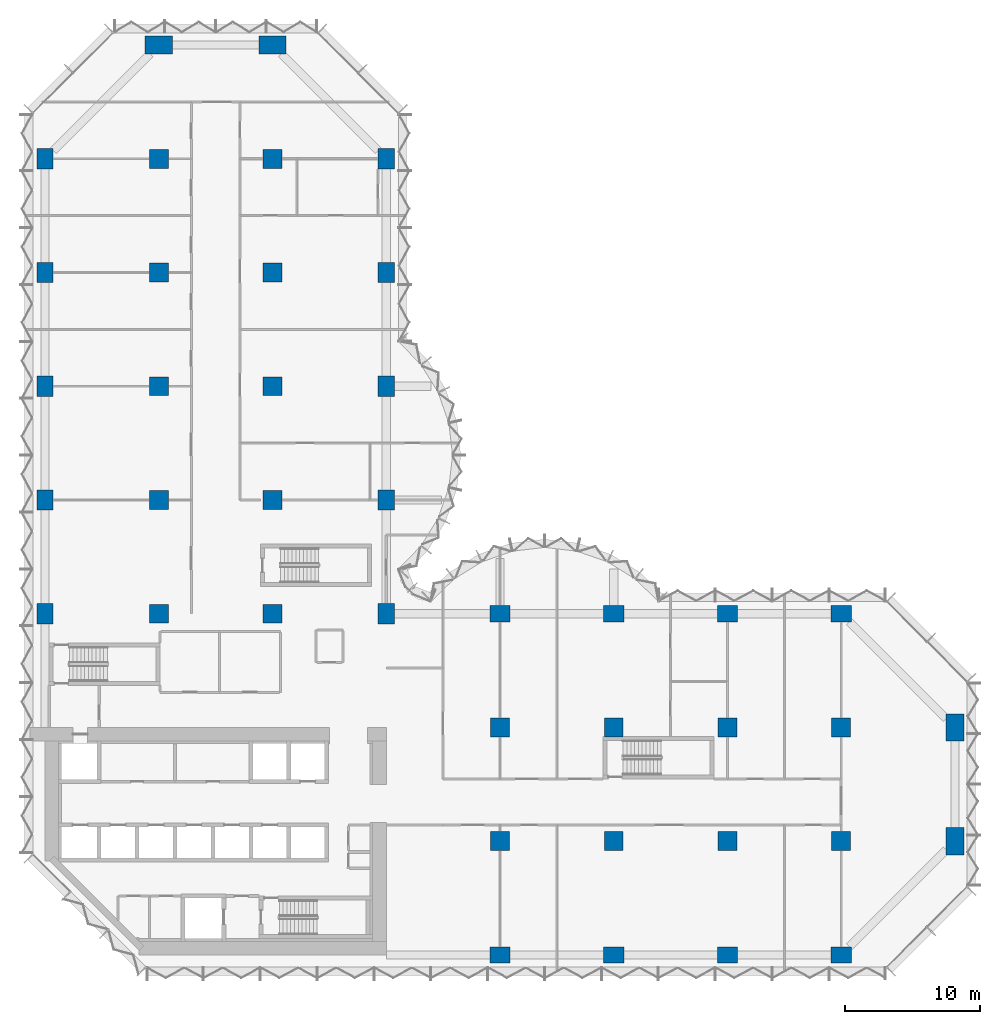
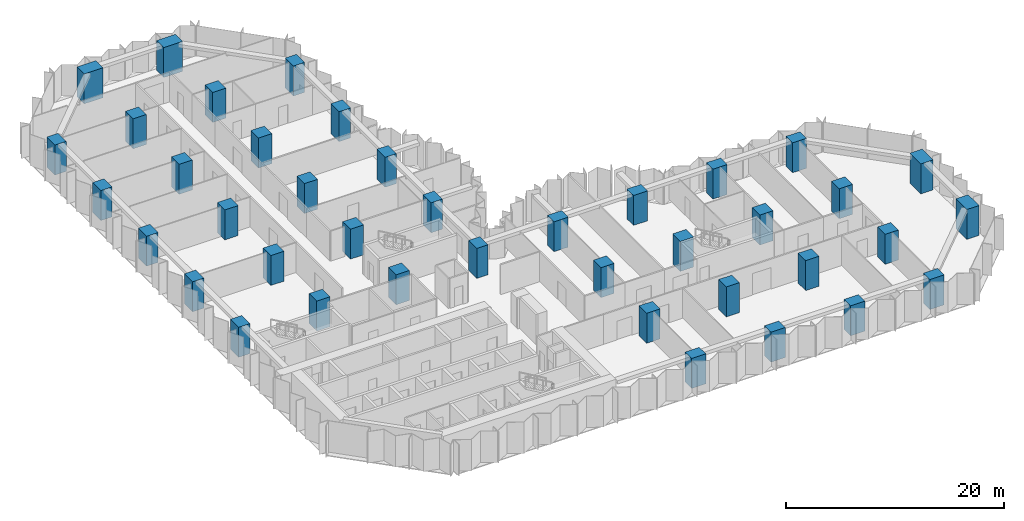
# One storey, part 1 of 15: 40 columns.
"""IFC4 building model written with IfcOpenShell, lengths in metres."""

import ifcopenshell
import ifcopenshell.guid

model = None  # the IFC model being written
_history = None  # IfcOwnerHistory: only IFC2X3 demands one
_inside = {}  # id of a spatial element -> (the spatial element, [elements in it])
_under = {}  # id of a project, library or spatial element -> (it, [spatial elements below it])
_declared = {}  # id of a project -> (the project, [libraries it declares])
_typed = {}  # id of a type object -> (the type object, [elements of that type])
_made_of = {}  # id of a material, layer set ... -> (it, [elements and type objects made of it])


def new_model(schema):
    """Start an empty IFC model of exactly this schema.

    Asked for "IFC4X3", IfcOpenShell would pick the latest addendum, in which some entities
    have other attributes; the version numbers below select the first issue.
    IFC2X3 requires an IfcOwnerHistory on every rooted entity: one is made here for all.
    """
    global model, _history
    if schema == "IFC4X3":
        model = ifcopenshell.file(schema_version=(4, 3, 0, 0))
    else:
        model = ifcopenshell.file(schema=schema)
    _inside.clear()
    _under.clear()
    _declared.clear()
    _typed.clear()
    _made_of.clear()
    _history = None
    if model.schema == "IFC2X3":
        org = make("IfcOrganization", Name="unknown")
        user = make(
            "IfcPersonAndOrganization",
            ThePerson=make("IfcPerson", FamilyName="unknown"),
            TheOrganization=org,
        )
        app = make(
            "IfcApplication",
            ApplicationDeveloper=org,
            Version="unknown",
            ApplicationFullName="unknown",
            ApplicationIdentifier="unknown",
        )
        _history = make(
            "IfcOwnerHistory",
            OwningUser=user,
            OwningApplication=app,
            ChangeAction="ADDED",
            CreationDate=0,
        )
    return model


def make(cls, **values):
    """One entity of the class cls with the attributes given. An attribute that is None is left unset."""
    return model.create_entity(
        cls, **{name: value for name, value in values.items() if value is not None}
    )


def rooted(cls, **values):
    """An entity with a GlobalId (a new one), such as an element, a storey or a relation."""
    return make(cls, GlobalId=ifcopenshell.guid.new(), OwnerHistory=_history, **values)


def si_unit(unit_type, name, prefix=None):
    """IfcSIUnit, for example si_unit("LENGTHUNIT", "METRE", prefix="MILLI")."""
    return make("IfcSIUnit", UnitType=unit_type, Prefix=prefix, Name=name)


def assignment(units):
    """IfcUnitAssignment: the units of a project."""
    return None if units is None else make("IfcUnitAssignment", Units=units)


def point(xyz):
    """IfcCartesianPoint."""
    return None if xyz is None else make("IfcCartesianPoint", Coordinates=xyz)


def direction(xyz):
    """IfcDirection."""
    return None if xyz is None else make("IfcDirection", DirectionRatios=xyz)


def frame(location, z_axis=None, x_axis=None):
    """IfcAxis2Placement3D, a coordinate frame: its origin and axes. An axis left out is left unset."""
    return make(
        "IfcAxis2Placement3D",
        Location=point(location),
        Axis=direction(z_axis),
        RefDirection=direction(x_axis),
    )


def frame_2d(location, x_axis=None):
    """IfcAxis2Placement2D, a coordinate frame in the plane: its origin and x axis."""
    return make(
        "IfcAxis2Placement2D", Location=point(location), RefDirection=direction(x_axis)
    )


def origin():
    """The frame at (0, 0, 0) with its axes left unset."""
    return frame((0.0, 0.0, 0.0))


def origin_2d():
    """The frame at (0, 0) in the plane with its x axis left unset."""
    return frame_2d((0.0, 0.0))


def place(relative_to, where):
    """IfcLocalPlacement: puts the frame where relative to a parent placement (None: the world)."""
    return make(
        "IfcLocalPlacement", PlacementRelTo=relative_to, RelativePlacement=where
    )


def context(
    kind, dimensions, precision=None, world=None, true_north=None, identifier=None
):
    """IfcGeometricRepresentationContext, for example the 3D "Model" context."""
    return make(
        "IfcGeometricRepresentationContext",
        ContextIdentifier=identifier,
        ContextType=kind,
        CoordinateSpaceDimension=dimensions,
        Precision=precision,
        WorldCoordinateSystem=world,
        TrueNorth=true_north,
    )


def subcontext(parent, identifier, kind, view, scale=None):
    """IfcGeometricRepresentationSubContext, for example "Body" below "Model"."""
    return make(
        "IfcGeometricRepresentationSubContext",
        ContextIdentifier=identifier,
        ContextType=kind,
        ParentContext=parent,
        TargetScale=scale,
        TargetView=view,
    )


def project(units=None, contexts=None):
    """IfcProject with its units and contexts."""
    return rooted(
        "IfcProject",
        Name="project",
        RepresentationContexts=contexts,
        UnitsInContext=assignment(units),
    )


def spatial(cls, under=None, at=None, **own):
    """A site, building, storey or space (cls), placed at a placement, below another one or the project."""
    s = rooted(cls, ObjectPlacement=at, **own)
    if under is not None:
        _under.setdefault(under.id(), (under, []))[1].append(s)
    return s


def profile(cls, at=None, kind="AREA", **sizes):
    """A parametric profile (cls). Its sizes go by their IFC names, for example OverallWidth=200.0."""
    return make(cls, ProfileType=kind, Position=at, **sizes)


def rectangle(**sizes):
    """IfcRectangleProfileDef."""
    return profile("IfcRectangleProfileDef", **sizes)


def extrude(swept, where, along, depth):
    """IfcExtrudedAreaSolid: the profile swept, set in the frame where, extruded along a direction by depth."""
    return make(
        "IfcExtrudedAreaSolid",
        SweptArea=swept,
        Position=where,
        ExtrudedDirection=direction(along),
        Depth=depth,
    )


def shape(context_of_items, identifier, shape_type, items):
    """IfcShapeRepresentation: the items that make up one representation, for example the "Body"."""
    return make(
        "IfcShapeRepresentation",
        ContextOfItems=context_of_items,
        RepresentationIdentifier=identifier,
        RepresentationType=shape_type,
        Items=items,
    )


def material(Name=None, Category=None):
    """IfcMaterial."""
    return make("IfcMaterial", Name=Name, Category=Category)


def material_profile(
    of_material, cross_section, Name=None, Category=None, Priority=None
):
    """IfcMaterialProfile: a cross section and its material."""
    return make(
        "IfcMaterialProfile",
        Name=Name,
        Material=of_material,
        Profile=cross_section,
        Priority=Priority,
        Category=Category,
    )


def profile_set(profiles, Name=None, composite=None):
    """IfcMaterialProfileSet."""
    return make(
        "IfcMaterialProfileSet",
        Name=Name,
        MaterialProfiles=profiles,
        CompositeProfile=composite,
    )


def made_of(thing, what):
    """Note that an element or type object is made of a material, layer set ...; save() writes the relation."""
    if what is not None:
        _made_of.setdefault(what.id(), (what, []))[1].append(thing)
    return thing


def type_object(cls, material=None, **own):
    """A type object (cls), such as IfcWallType, which elements share."""
    return made_of(rooted(cls, **own), material)


def element(
    cls,
    number,
    at=None,
    inside=None,
    cuts=None,
    type_object=None,
    material=None,
    context=None,
    identifier="Body",
    shape_type=None,
    held_by="IfcProductDefinitionShape",
    body=None,
    shapes=None,
    **own,
):
    """One element of the class cls, such as IfcWall. Its Tag is "e" and its number.

    at: its placement. inside: the storey or other place that contains it. cuts: it is an
    opening in that element (IfcRelVoidsElement). A single representation is given by context,
    identifier, shape_type and body (its items); several are given by shapes. held_by: the class
    of the entity that holds the representations. save() writes the other relations.
    """
    e = rooted(cls, Tag="e%d" % number, ObjectPlacement=at, **own)
    if body is not None:
        shapes = [shape(context, identifier, shape_type, body)]
    if shapes is not None:
        e.Representation = make(held_by, Representations=shapes)
    if inside is not None:
        _inside.setdefault(inside.id(), (inside, []))[1].append(e)
    if cuts is not None:
        rooted(
            "IfcRelVoidsElement", RelatingBuildingElement=cuts, RelatedOpeningElement=e
        )
    if type_object is not None:
        _typed.setdefault(type_object.id(), (type_object, []))[1].append(e)
    return made_of(e, material)


def aggregate(whole, parts):
    """IfcRelAggregates: a whole, such as a stair, and the parts it consists of."""
    return rooted("IfcRelAggregates", RelatingObject=whole, RelatedObjects=parts)


def save(model, path):
    """Write the relations noted so far, then the file.

    IfcRelAggregates (storeys below a building ...), IfcRelContainedInSpatialStructure (elements
    in a storey), IfcRelDefinesByType, IfcRelAssociatesMaterial and IfcRelDeclares: one each for
    every whole, place, type object, material and project.
    """
    for whole, parts in _under.values():
        aggregate(whole, parts)
    for where, things in _inside.values():
        rooted(
            "IfcRelContainedInSpatialStructure",
            RelatedElements=things,
            RelatingStructure=where,
        )
    for kind, things in _typed.values():
        rooted("IfcRelDefinesByType", RelatedObjects=things, RelatingType=kind)
    for what, things in _made_of.values():
        rooted("IfcRelAssociatesMaterial", RelatedObjects=things, RelatingMaterial=what)
    for by, libraries in _declared.values():
        rooted("IfcRelDeclares", RelatingContext=by, RelatedDefinitions=libraries)
    model.write(path)


model = new_model("IFC4")

# Units and contexts
model_context = context("Model", 3, precision=1e-05, world=origin(), true_north=direction((0.0, 1.0)))
body_context = subcontext(model_context, "Body", "Model", "MODEL_VIEW")
ifc_project = project(units=[si_unit("LENGTHUNIT", "METRE"), si_unit("AREAUNIT", "SQUARE_METRE"), si_unit("VOLUMEUNIT", "CUBIC_METRE"), si_unit("PLANEANGLEUNIT", "RADIAN"), si_unit("MASSUNIT", "GRAM", prefix="KILO")], contexts=[model_context])

# Site, building, storey
site_placement = place(None, origin())
site = spatial("IfcSite", under=ifc_project, at=site_placement, CompositionType="ELEMENT")
building_placement = place(site_placement, origin())
building = spatial("IfcBuilding", under=site, at=building_placement, Name="Brevane Broadcast Tower", CompositionType="ELEMENT")
storey_placement = place(building_placement, frame((0.0, 0.0, 68.89990234375)))
storey = spatial("IfcBuildingStorey", under=building, at=storey_placement, Name="L15", CompositionType="ELEMENT", Elevation=68.89990234375)

# Columns
ifc_material = material(Name="Concrete C80/95", Category="concrete")
ifc_material_profile_1 = material_profile(ifc_material, rectangle(XDim=1.199951171875, YDim=1.5, at=origin_2d()), Name="RC 1200x1500")
ifc_profile_set_1 = profile_set([ifc_material_profile_1], Name="Concrete C80/95")
column_type_1 = type_object("IfcColumnType", Name="RC COLUMN EDGE 1200x1500 C80/95", PredefinedType="COLUMN", material=ifc_profile_set_1)
for number, where, z_axis, x_axis, name in (
    (1, (0.0, 25.199951171875, 0.0), (0.0, 0.0, 1.0), (1.0, 0.0, 0.0), "CE5 1/D"),
    (2, (0.0, 33.60009765625, 0.0), (0.0, 0.0, 1.0), (1.0, 0.0, 0.0), "CE5 1/E"),
    (3, (0.0, 42.0, 0.0), (0.0, 0.0, 1.0), (1.0, 0.0, 0.0), "CE5 1/F"),
    (4, (0.0, 50.39990234375, 0.0), (0.0, 0.0, 1.0), (1.0, 0.0, 0.0), "CE5 1/G"),
    (5, (0.0, 58.800048828125, 0.0), (0.0, 0.0, 1.0), (1.0, 0.0, 0.0), "CE5 1/H"),
    (6, (25.199951171875, 25.199951171875, 0.0), (0.0, 0.0, 1.0), (1.0, 0.0, 0.0), "CE5 4/D"),
    (7, (25.199951171875, 33.60009765625, 0.0), (0.0, 0.0, 1.0), (1.0, 0.0, 0.0), "CE5 4/E"),
    (8, (25.199951171875, 42.0, 0.0), (0.0, 0.0, 1.0), (1.0, 0.0, 0.0), "CE5 4/F"),
    (9, (25.199951171875, 50.39990234375, 0.0), (0.0, 0.0, 1.0), (1.0, 0.0, 0.0), "CE5 4/G"),
    (10, (25.199951171875, 58.800048828125, 0.0), (0.0, 0.0, 1.0), (1.0, 0.0, 0.0), "CE5 4/H"),
    (11, (33.60009765625, 0.0, 0.0), (0.0, 0.0, 1.0), (0.0, 1.0, 0.0), "CE5 5/A"),
    (12, (33.60009765625, 25.199951171875, 0.0), (0.0, 0.0, 1.0), (0.0, 1.0, 0.0), "CE5 5/D"),
    (13, (42.0, 0.0, 0.0), (0.0, 0.0, 1.0), (0.0, 1.0, 0.0), "CE5 6/A"),
    (14, (42.0, 25.199951171875, 0.0), (0.0, 0.0, 1.0), (0.0, 1.0, 0.0), "CE5 6/D"),
    (15, (50.39990234375, 0.0, 0.0), (0.0, 0.0, 1.0), (0.0, 1.0, 0.0), "CE5 7/A"),
    (16, (50.39990234375, 25.199951171875, 0.0), (0.0, 0.0, 1.0), (0.0, 1.0, 0.0), "CE5 7/D"),
    (17, (58.800048828125, 0.0, 0.0), (0.0, 0.0, 1.0), (0.0, 1.0, 0.0), "CE5 8/A"),
    (18, (58.800048828125, 25.199951171875, 0.0), (0.0, 0.0, 1.0), (0.0, 1.0, 0.0), "CE5 8/D"),
):
    element("IfcColumn", number, at=place(storey_placement, frame(where, z_axis=z_axis, x_axis=x_axis)), inside=storey, type_object=column_type_1, Name=name, PredefinedType="COLUMN", context=body_context, shape_type="SweptSolid", body=[
        extrude(rectangle(XDim=1.199951171875, YDim=1.5, at=origin_2d()), origin(), (0.0, 0.0, 1.0), 3.35009765625),
    ])
ifc_material_profile_2 = material_profile(ifc_material, rectangle(XDim=1.39990234375, YDim=1.39990234375, at=origin_2d()), Name="RC 1400x1400")
ifc_profile_set_2 = profile_set([ifc_material_profile_2], Name="Concrete C80/95")
column_type_2 = type_object("IfcColumnType", Name="RC COLUMN INTERIOR 1400x1400 C80/95", PredefinedType="COLUMN", material=ifc_profile_set_2)
for number, where, z_axis, x_axis, name in (
    (19, (8.39990234375, 25.199951171875, 0.0), (0.0, 0.0, 1.0), (1.0, 0.0, 0.0), "CI6 2/D"),
    (20, (8.39990234375, 33.60009765625, 0.0), (0.0, 0.0, 1.0), (1.0, 0.0, 0.0), "CI6 2/E"),
    (21, (8.39990234375, 42.0, 0.0), (0.0, 0.0, 1.0), (1.0, 0.0, 0.0), "CI6 2/F"),
    (22, (8.39990234375, 50.39990234375, 0.0), (0.0, 0.0, 1.0), (1.0, 0.0, 0.0), "CI6 2/G"),
    (23, (8.39990234375, 58.800048828125, 0.0), (0.0, 0.0, 1.0), (1.0, 0.0, 0.0), "CI6 2/H"),
    (24, (16.800048828125, 25.199951171875, 0.0), (0.0, 0.0, 1.0), (1.0, 0.0, 0.0), "CI6 3/D"),
    (25, (16.800048828125, 33.60009765625, 0.0), (0.0, 0.0, 1.0), (1.0, 0.0, 0.0), "CI6 3/E"),
    (26, (16.800048828125, 42.0, 0.0), (0.0, 0.0, 1.0), (1.0, 0.0, 0.0), "CI6 3/F"),
    (27, (16.800048828125, 50.39990234375, 0.0), (0.0, 0.0, 1.0), (1.0, 0.0, 0.0), "CI6 3/G"),
    (28, (16.800048828125, 58.800048828125, 0.0), (0.0, 0.0, 1.0), (1.0, 0.0, 0.0), "CI6 3/H"),
    (29, (33.60009765625, 8.39990234375, 0.0), (0.0, 0.0, 1.0), (1.0, 0.0, 0.0), "CI6 5/B"),
    (30, (33.60009765625, 16.800048828125, 0.0), (0.0, 0.0, 1.0), (1.0, 0.0, 0.0), "CI6 5/C"),
    (31, (42.0, 8.39990234375, 0.0), (0.0, 0.0, 1.0), (1.0, 0.0, 0.0), "CI6 6/B"),
    (32, (42.0, 16.800048828125, 0.0), (0.0, 0.0, 1.0), (1.0, 0.0, 0.0), "CI6 6/C"),
    (33, (50.39990234375, 8.39990234375, 0.0), (0.0, 0.0, 1.0), (1.0, 0.0, 0.0), "CI6 7/B"),
    (34, (50.39990234375, 16.800048828125, 0.0), (0.0, 0.0, 1.0), (1.0, 0.0, 0.0), "CI6 7/C"),
    (35, (58.800048828125, 8.39990234375, 0.0), (0.0, 0.0, 1.0), (1.0, 0.0, 0.0), "CI6 8/B"),
    (36, (58.800048828125, 16.800048828125, 0.0), (0.0, 0.0, 1.0), (1.0, 0.0, 0.0), "CI6 8/C"),
):
    element("IfcColumn", number, at=place(storey_placement, frame(where, z_axis=z_axis, x_axis=x_axis)), inside=storey, type_object=column_type_2, Name=name, PredefinedType="COLUMN", context=body_context, shape_type="SweptSolid", body=[
        extrude(rectangle(XDim=1.39990234375, YDim=1.39990234375, at=origin_2d()), origin(), (0.0, 0.0, 1.0), 3.35009765625),
    ])
ifc_material_profile_3 = material_profile(ifc_material, rectangle(XDim=1.300048828125, YDim=2.0, at=origin_2d()), Name="RC 1300x2000")
ifc_profile_set_3 = profile_set([ifc_material_profile_3], Name="Concrete C80/95")
column_type_3 = type_object("IfcColumnType", Name="RC COLUMN WING-END 1300x2000 C80/95", PredefinedType="COLUMN", material=ifc_profile_set_3)
for number, where, z_axis, x_axis, name in (
    (37, (8.39990234375, 67.199951171875, 0.0), (0.0, 0.0, 1.0), (0.0, 1.0, 0.0), "CW7 2/I"),
    (38, (16.800048828125, 67.199951171875, 0.0), (0.0, 0.0, 1.0), (0.0, 1.0, 0.0), "CW7 3/I"),
    (39, (67.199951171875, 8.39990234375, 0.0), (0.0, 0.0, 1.0), (1.0, 0.0, 0.0), "CW7 9/B"),
    (40, (67.199951171875, 16.800048828125, 0.0), (0.0, 0.0, 1.0), (1.0, 0.0, 0.0), "CW7 9/C"),
):
    element("IfcColumn", number, at=place(storey_placement, frame(where, z_axis=z_axis, x_axis=x_axis)), inside=storey, type_object=column_type_3, Name=name, PredefinedType="COLUMN", context=body_context, shape_type="SweptSolid", body=[
        extrude(rectangle(XDim=1.300048828125, YDim=2.0, at=origin_2d()), origin(), (0.0, 0.0, 1.0), 3.35009765625),
    ])

save(model, "model.ifc")
